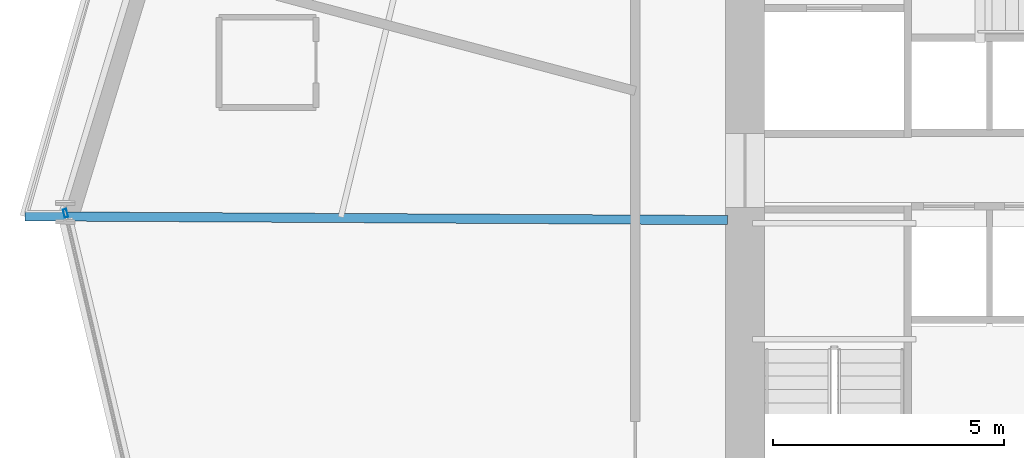
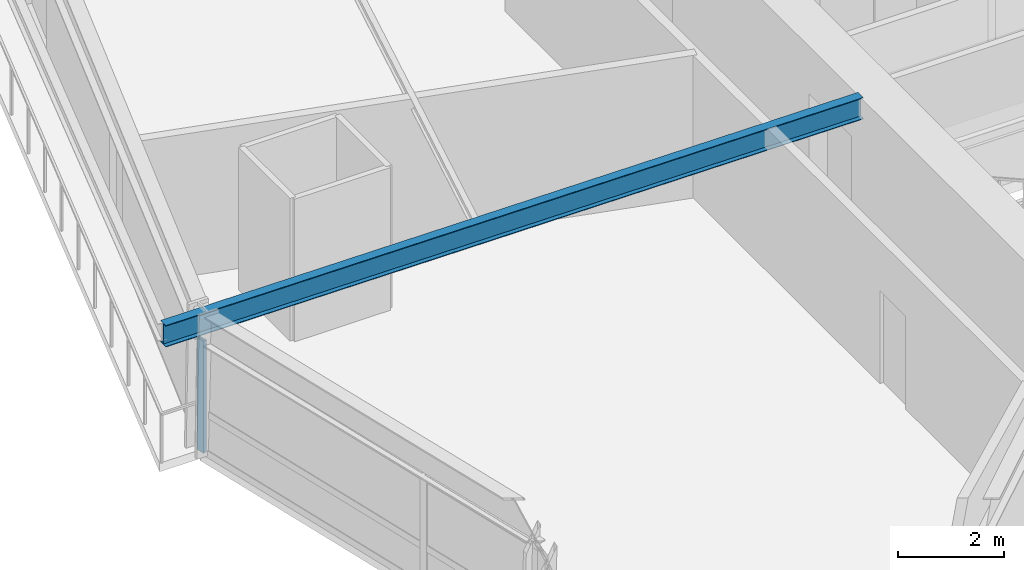
# One storey, part 6 of 24: 1 beam, 1 member, 1 element without a shape of its own.
"""IFC4 building model written with IfcOpenShell, lengths in metres."""

import ifcopenshell
import ifcopenshell.guid

model = None  # the IFC model being written
_history = None  # IfcOwnerHistory: only IFC2X3 demands one
_inside = {}  # id of a spatial element -> (the spatial element, [elements in it])
_under = {}  # id of a project, library or spatial element -> (it, [spatial elements below it])
_declared = {}  # id of a project -> (the project, [libraries it declares])
_typed = {}  # id of a type object -> (the type object, [elements of that type])
_made_of = {}  # id of a material, layer set ... -> (it, [elements and type objects made of it])


def new_model(schema):
    """Start an empty IFC model of exactly this schema.

    Asked for "IFC4X3", IfcOpenShell would pick the latest addendum, in which some entities
    have other attributes; the version numbers below select the first issue.
    IFC2X3 requires an IfcOwnerHistory on every rooted entity: one is made here for all.
    """
    global model, _history
    if schema == "IFC4X3":
        model = ifcopenshell.file(schema_version=(4, 3, 0, 0))
    else:
        model = ifcopenshell.file(schema=schema)
    _inside.clear()
    _under.clear()
    _declared.clear()
    _typed.clear()
    _made_of.clear()
    _history = None
    if model.schema == "IFC2X3":
        org = make("IfcOrganization", Name="unknown")
        user = make(
            "IfcPersonAndOrganization",
            ThePerson=make("IfcPerson", FamilyName="unknown"),
            TheOrganization=org,
        )
        app = make(
            "IfcApplication",
            ApplicationDeveloper=org,
            Version="unknown",
            ApplicationFullName="unknown",
            ApplicationIdentifier="unknown",
        )
        _history = make(
            "IfcOwnerHistory",
            OwningUser=user,
            OwningApplication=app,
            ChangeAction="ADDED",
            CreationDate=0,
        )
    return model


def make(cls, **values):
    """One entity of the class cls with the attributes given. An attribute that is None is left unset."""
    return model.create_entity(
        cls, **{name: value for name, value in values.items() if value is not None}
    )


def rooted(cls, **values):
    """An entity with a GlobalId (a new one), such as an element, a storey or a relation."""
    return make(cls, GlobalId=ifcopenshell.guid.new(), OwnerHistory=_history, **values)


def si_unit(unit_type, name, prefix=None):
    """IfcSIUnit, for example si_unit("LENGTHUNIT", "METRE", prefix="MILLI")."""
    return make("IfcSIUnit", UnitType=unit_type, Prefix=prefix, Name=name)


def assignment(units):
    """IfcUnitAssignment: the units of a project."""
    return None if units is None else make("IfcUnitAssignment", Units=units)


def point(xyz):
    """IfcCartesianPoint."""
    return None if xyz is None else make("IfcCartesianPoint", Coordinates=xyz)


def direction(xyz):
    """IfcDirection."""
    return None if xyz is None else make("IfcDirection", DirectionRatios=xyz)


def frame(location, z_axis=None, x_axis=None):
    """IfcAxis2Placement3D, a coordinate frame: its origin and axes. An axis left out is left unset."""
    return make(
        "IfcAxis2Placement3D",
        Location=point(location),
        Axis=direction(z_axis),
        RefDirection=direction(x_axis),
    )


def frame_2d(location, x_axis=None):
    """IfcAxis2Placement2D, a coordinate frame in the plane: its origin and x axis."""
    return make(
        "IfcAxis2Placement2D", Location=point(location), RefDirection=direction(x_axis)
    )


def origin():
    """The frame at (0, 0, 0) with its axes left unset."""
    return frame((0.0, 0.0, 0.0))


def origin_2d():
    """The frame at (0, 0) in the plane with its x axis left unset."""
    return frame_2d((0.0, 0.0))


def place(relative_to, where):
    """IfcLocalPlacement: puts the frame where relative to a parent placement (None: the world)."""
    return make(
        "IfcLocalPlacement", PlacementRelTo=relative_to, RelativePlacement=where
    )


def context(
    kind, dimensions, precision=None, world=None, true_north=None, identifier=None
):
    """IfcGeometricRepresentationContext, for example the 3D "Model" context."""
    return make(
        "IfcGeometricRepresentationContext",
        ContextIdentifier=identifier,
        ContextType=kind,
        CoordinateSpaceDimension=dimensions,
        Precision=precision,
        WorldCoordinateSystem=world,
        TrueNorth=true_north,
    )


def subcontext(parent, identifier, kind, view, scale=None):
    """IfcGeometricRepresentationSubContext, for example "Body" below "Model"."""
    return make(
        "IfcGeometricRepresentationSubContext",
        ContextIdentifier=identifier,
        ContextType=kind,
        ParentContext=parent,
        TargetScale=scale,
        TargetView=view,
    )


def project(units=None, contexts=None):
    """IfcProject with its units and contexts."""
    return rooted(
        "IfcProject",
        Name="project",
        RepresentationContexts=contexts,
        UnitsInContext=assignment(units),
    )


def spatial(cls, under=None, at=None, **own):
    """A site, building, storey or space (cls), placed at a placement, below another one or the project."""
    s = rooted(cls, ObjectPlacement=at, **own)
    if under is not None:
        _under.setdefault(under.id(), (under, []))[1].append(s)
    return s


def profile(cls, at=None, kind="AREA", **sizes):
    """A parametric profile (cls). Its sizes go by their IFC names, for example OverallWidth=200.0."""
    return make(cls, ProfileType=kind, Position=at, **sizes)


def hollow_rectangle(**sizes):
    """IfcRectangleHollowProfileDef."""
    return profile("IfcRectangleHollowProfileDef", **sizes)


def i_section(**sizes):
    """IfcIShapeProfileDef."""
    return profile("IfcIShapeProfileDef", **sizes)


def extrude(swept, where, along, depth):
    """IfcExtrudedAreaSolid: the profile swept, set in the frame where, extruded along a direction by depth."""
    return make(
        "IfcExtrudedAreaSolid",
        SweptArea=swept,
        Position=where,
        ExtrudedDirection=direction(along),
        Depth=depth,
    )


def shape(context_of_items, identifier, shape_type, items):
    """IfcShapeRepresentation: the items that make up one representation, for example the "Body"."""
    return make(
        "IfcShapeRepresentation",
        ContextOfItems=context_of_items,
        RepresentationIdentifier=identifier,
        RepresentationType=shape_type,
        Items=items,
    )


def source(mapping_origin, context_of_items, identifier, shape_type, items):
    """IfcRepresentationMap: a shape defined once, which mapped items show again and again."""
    return make(
        "IfcRepresentationMap",
        MappingOrigin=mapping_origin,
        MappedRepresentation=shape(context_of_items, identifier, shape_type, items),
    )


def transform(
    local_origin,
    x_axis=None,
    y_axis=None,
    z_axis=None,
    scale=None,
    scale2=None,
    scale3=None,
    uniform=True,
):
    """IfcCartesianTransformationOperator3D, or its non-uniform kind. x_axis, y_axis, z_axis: its Axis1, 2, 3."""
    if uniform:
        return make(
            "IfcCartesianTransformationOperator3D",
            Axis1=direction(x_axis),
            Axis2=direction(y_axis),
            LocalOrigin=point(local_origin),
            Scale=scale,
            Axis3=direction(z_axis),
        )
    return make(
        "IfcCartesianTransformationOperator3DnonUniform",
        Axis1=direction(x_axis),
        Axis2=direction(y_axis),
        LocalOrigin=point(local_origin),
        Scale=scale,
        Axis3=direction(z_axis),
        Scale2=scale2,
        Scale3=scale3,
    )


def mapped(mapping_source, mapping_target):
    """IfcMappedItem: shows the shape of a source again, moved by a transform."""
    return make(
        "IfcMappedItem", MappingSource=mapping_source, MappingTarget=mapping_target
    )


def material(Name=None, Category=None):
    """IfcMaterial."""
    return make("IfcMaterial", Name=Name, Category=Category)


def material_profile(
    of_material, cross_section, Name=None, Category=None, Priority=None
):
    """IfcMaterialProfile: a cross section and its material."""
    return make(
        "IfcMaterialProfile",
        Name=Name,
        Material=of_material,
        Profile=cross_section,
        Priority=Priority,
        Category=Category,
    )


def profile_set(profiles, Name=None, composite=None):
    """IfcMaterialProfileSet."""
    return make(
        "IfcMaterialProfileSet",
        Name=Name,
        MaterialProfiles=profiles,
        CompositeProfile=composite,
    )


def made_of(thing, what):
    """Note that an element or type object is made of a material, layer set ...; save() writes the relation."""
    if what is not None:
        _made_of.setdefault(what.id(), (what, []))[1].append(thing)
    return thing


def type_object(cls, material=None, **own):
    """A type object (cls), such as IfcWallType, which elements share."""
    return made_of(rooted(cls, **own), material)


def element(
    cls,
    number,
    at=None,
    inside=None,
    cuts=None,
    type_object=None,
    material=None,
    context=None,
    identifier="Body",
    shape_type=None,
    held_by="IfcProductDefinitionShape",
    body=None,
    shapes=None,
    **own,
):
    """One element of the class cls, such as IfcWall. Its Tag is "e" and its number.

    at: its placement. inside: the storey or other place that contains it. cuts: it is an
    opening in that element (IfcRelVoidsElement). A single representation is given by context,
    identifier, shape_type and body (its items); several are given by shapes. held_by: the class
    of the entity that holds the representations. save() writes the other relations.
    """
    e = rooted(cls, Tag="e%d" % number, ObjectPlacement=at, **own)
    if body is not None:
        shapes = [shape(context, identifier, shape_type, body)]
    if shapes is not None:
        e.Representation = make(held_by, Representations=shapes)
    if inside is not None:
        _inside.setdefault(inside.id(), (inside, []))[1].append(e)
    if cuts is not None:
        rooted(
            "IfcRelVoidsElement", RelatingBuildingElement=cuts, RelatedOpeningElement=e
        )
    if type_object is not None:
        _typed.setdefault(type_object.id(), (type_object, []))[1].append(e)
    return made_of(e, material)


def aggregate(whole, parts):
    """IfcRelAggregates: a whole, such as a stair, and the parts it consists of."""
    return rooted("IfcRelAggregates", RelatingObject=whole, RelatedObjects=parts)


def save(model, path):
    """Write the relations noted so far, then the file.

    IfcRelAggregates (storeys below a building ...), IfcRelContainedInSpatialStructure (elements
    in a storey), IfcRelDefinesByType, IfcRelAssociatesMaterial and IfcRelDeclares: one each for
    every whole, place, type object, material and project.
    """
    for whole, parts in _under.values():
        aggregate(whole, parts)
    for where, things in _inside.values():
        rooted(
            "IfcRelContainedInSpatialStructure",
            RelatedElements=things,
            RelatingStructure=where,
        )
    for kind, things in _typed.values():
        rooted("IfcRelDefinesByType", RelatedObjects=things, RelatingType=kind)
    for what, things in _made_of.values():
        rooted("IfcRelAssociatesMaterial", RelatedObjects=things, RelatingMaterial=what)
    for by, libraries in _declared.values():
        rooted("IfcRelDeclares", RelatingContext=by, RelatedDefinitions=libraries)
    model.write(path)


model = new_model("IFC4")

# Units and contexts
model_context = context("Model", 3, precision=1e-05, world=origin(), true_north=direction((0.0, 1.0)))
body_context = subcontext(model_context, "Body", "Model", "MODEL_VIEW")
ifc_project = project(units=[si_unit("LENGTHUNIT", "METRE"), si_unit("AREAUNIT", "SQUARE_METRE"), si_unit("VOLUMEUNIT", "CUBIC_METRE"), si_unit("PLANEANGLEUNIT", "RADIAN"), si_unit("MASSUNIT", "GRAM", prefix="KILO")], contexts=[model_context])

# Site, building, storey
site_placement = place(None, origin())
site = spatial("IfcSite", under=ifc_project, at=site_placement, CompositionType="ELEMENT")
building_placement = place(site_placement, origin())
building = spatial("IfcBuilding", under=site, at=building_placement, Name="Olszyna Solenne Hotel", CompositionType="ELEMENT")
storey_placement = place(building_placement, frame((0.0, 0.0, 36.39990234375)))
storey = spatial("IfcBuildingStorey", under=building, at=storey_placement, Name="L08", CompositionType="ELEMENT", Elevation=36.39990234375)

# Beam
ifc_material_1 = material(Name="Steel S355J2", Category="steel")
ifc_material_profile_1 = material_profile(ifc_material_1, i_section(OverallWidth=0.199951171875, OverallDepth=0.5, WebThickness=0.01025390625, FlangeThickness=0.01611328125, at=origin_2d()), Name="IPE 500", Category="load-bearing")
ifc_profile_set_1 = profile_set([ifc_material_profile_1], Name="Steel S355J2")
beam_type = type_object("IfcBeamType", Name="BM-F3", PredefinedType="BEAM", material=ifc_profile_set_1)
shared_shape_1 = source(origin(), body_context, "Body", "SweptSolid", [
    extrude(i_section(OverallWidth=0.199951171875, OverallDepth=0.5, WebThickness=0.01025390625, FlangeThickness=0.01611328125, at=origin_2d()), origin(), (0.0, 0.0, 1.0), 15.2158203125),
])
beam_placement = place(storey_placement, frame((14.08447265625, 26.732421875, 3.050048828125), z_axis=(0.999985380801, -0.005407234461, 0.0), x_axis=(0.005407234461, 0.999985380801, 0.0)))
element("IfcBeam", 1, at=beam_placement, inside=storey, type_object=beam_type, Name="Radial floor girder BM-F3 B-L08-0277", PredefinedType="BEAM", context=body_context, shape_type="MappedRepresentation", body=[
    mapped(shared_shape_1, transform((0.0, 0.0, 0.0), x_axis=(1.0, 0.0, 0.0), y_axis=(0.0, 1.0, 0.0), z_axis=(0.0, 0.0, 1.0), scale=1.0)),
])

# Curtain wall, member
ifc_material_2 = material(Name="Anodised bronze aluminium", Category="aluminium")
curtain_wall_type = type_object("IfcCurtainWallType", Name="CW-SYS-2", PredefinedType="NOTDEFINED", material=ifc_material_2)
curtain_wall_placement = place(storey_placement, origin())
curtain_wall = element("IfcCurtainWall", 2, at=curtain_wall_placement, inside=storey, type_object=curtain_wall_type, Name="Unitised curtain wall CW-SYS-2 CW-L08-01", PredefinedType="NOTDEFINED")
ifc_material_profile_2 = material_profile(ifc_material_2, hollow_rectangle(XDim=0.074951171875, YDim=0.179931640625, WallThickness=0.00439453125, at=origin_2d()), Name="MULL 180x75x4.5", Category="load-bearing")
ifc_profile_set_2 = profile_set([ifc_material_profile_2], Name="Anodised bronze aluminium")
member_type = type_object("IfcMemberType", Name="CW-M2", PredefinedType="MULLION", material=ifc_profile_set_2)
shared_shape_2 = source(origin(), body_context, "Body", "SweptSolid", [
    extrude(hollow_rectangle(XDim=0.074951171875, YDim=0.179931640625, WallThickness=0.00439453125, at=origin_2d()), origin(), (0.0, 0.0, 1.0), 2.592041015625),
])
member_placement = place(storey_placement, frame((14.96435546875, 26.796875, 0.0), z_axis=(0.0, 0.0, 1.0), x_axis=(0.973710390172, 0.227789543376, 0.0)))
member = element("IfcMember", 3, at=member_placement, type_object=member_type, Name="Curtain-wall mullion CW-M2 CM-L08-01-01", PredefinedType="MULLION", context=body_context, shape_type="MappedRepresentation", body=[
    mapped(shared_shape_2, transform((0.0, 0.0, 0.0), x_axis=(1.0, 0.0, 0.0), y_axis=(0.0, 1.0, 0.0), z_axis=(0.0, 0.0, 1.0), scale=1.0)),
])
aggregate(curtain_wall, [member])

save(model, "model.ifc")
